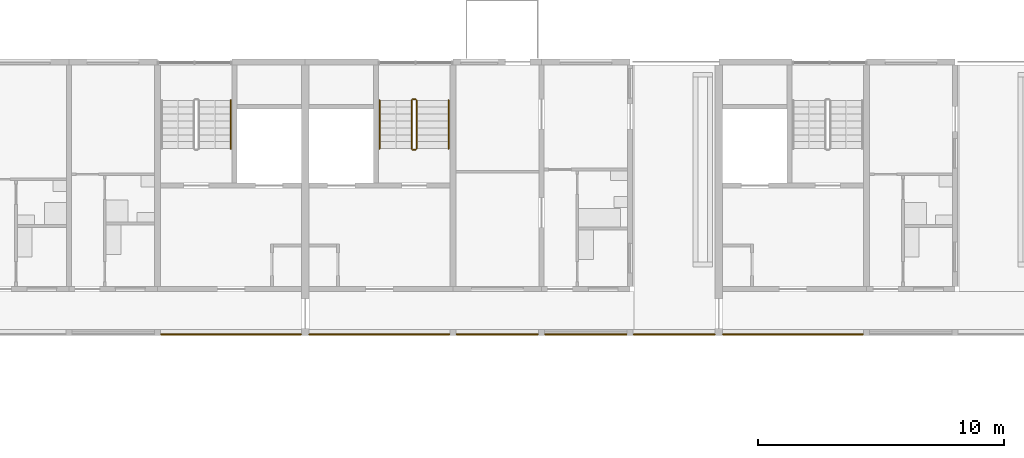
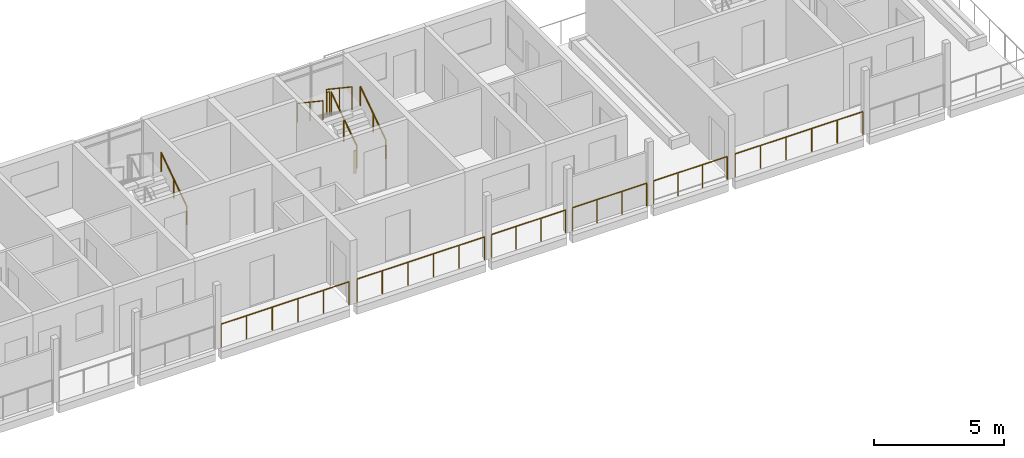
# One storey, part 80 of 94: 13 railings.
"""IFC4 building model written with IfcOpenShell, lengths in metres."""

from ifc_helpers import new_model, si_unit, direction, frame, origin, origin_2d, place, context, subcontext, project, spatial, circle, extrude, material, type_object, element, save


model = new_model("IFC4")

# Units and contexts
model_context = context("Model", 3, precision=1e-05, world=origin(), true_north=direction((0.0, 1.0)))
body_context = subcontext(model_context, "Body", "Model", "MODEL_VIEW")
ifc_project = project(units=[si_unit("LENGTHUNIT", "METRE"), si_unit("AREAUNIT", "SQUARE_METRE"), si_unit("VOLUMEUNIT", "CUBIC_METRE"), si_unit("PLANEANGLEUNIT", "RADIAN"), si_unit("MASSUNIT", "GRAM", prefix="KILO")], contexts=[model_context])

# Site, building, storey
site_placement = place(None, origin())
site = spatial("IfcSite", under=ifc_project, at=site_placement, CompositionType="ELEMENT")
building_placement = place(site_placement, origin())
building = spatial("IfcBuilding", under=site, at=building_placement, Name="Ridgestep Commons", CompositionType="ELEMENT")
storey_placement = place(building_placement, frame((0.0, 0.0, 21.0)))
storey = spatial("IfcBuildingStorey", under=building, at=storey_placement, Name="L07", CompositionType="ELEMENT", Elevation=21.0)

# Railings
ifc_material_1 = material(Name="Structural steel S355JR", Category="steel")
railing_type_1 = type_object("IfcRailingType", Name="Guard 1100", PredefinedType="GUARDRAIL", material=ifc_material_1)
railing_1_placement = place(storey_placement, frame((73.345947265625, 66.050048828125, 0.0)))
element("IfcRailing", 1, at=railing_1_placement, inside=storey, type_object=railing_type_1, Name="Gallery guard B 07.4", PredefinedType="GUARDRAIL", context=body_context, shape_type="SweptSolid", body=[
    extrude(circle(Radius=0.02392578125, at=origin_2d()), frame((0.0, 0.0, 1.076171875), z_axis=(1.0, 0.0, 0.0), x_axis=(0.0, 1.0, 0.0)), (0.0, 0.0, 1.0), 5.68310546875),
    extrude(circle(Radius=0.02099609375, at=origin_2d()), origin(), (0.0, 0.0, 1.0), 1.052001953125),
    extrude(circle(Radius=0.02099609375, at=origin_2d()), frame((1.13671875, 0.0, 0.0)), (0.0, 0.0, 1.0), 1.052001953125),
    extrude(circle(Radius=0.02099609375, at=origin_2d()), frame((2.273193359375, 0.0, 0.0)), (0.0, 0.0, 1.0), 1.052001953125),
    extrude(circle(Radius=0.02099609375, at=origin_2d()), frame((3.409912109375, 0.0, 0.0)), (0.0, 0.0, 1.0), 1.052001953125),
    extrude(circle(Radius=0.02099609375, at=origin_2d()), frame((4.54638671875, 0.0, 0.0)), (0.0, 0.0, 1.0), 1.052001953125),
    extrude(circle(Radius=0.02099609375, at=origin_2d()), frame((5.68310546875, 0.0, 0.0)), (0.0, 0.0, 1.0), 1.052001953125),
])
railing_2_placement = place(storey_placement, frame((79.37109375, 66.050048828125, 0.0)))
element("IfcRailing", 2, at=railing_2_placement, inside=storey, type_object=railing_type_1, Name="Gallery guard B 07.5", PredefinedType="GUARDRAIL", context=body_context, shape_type="SweptSolid", body=[
    extrude(circle(Radius=0.02392578125, at=origin_2d()), frame((0.0, 0.0, 1.076171875), z_axis=(1.0, 0.0, 0.0), x_axis=(0.0, 1.0, 0.0)), (0.0, 0.0, 1.0), 5.682861328125),
    extrude(circle(Radius=0.02099609375, at=origin_2d()), origin(), (0.0, 0.0, 1.0), 1.052001953125),
    extrude(circle(Radius=0.02099609375, at=origin_2d()), frame((1.136474609375, 0.0, 0.0)), (0.0, 0.0, 1.0), 1.052001953125),
    extrude(circle(Radius=0.02099609375, at=origin_2d()), frame((2.273193359375, 0.0, 0.0)), (0.0, 0.0, 1.0), 1.052001953125),
    extrude(circle(Radius=0.02099609375, at=origin_2d()), frame((3.40966796875, 0.0, 0.0)), (0.0, 0.0, 1.0), 1.052001953125),
    extrude(circle(Radius=0.02099609375, at=origin_2d()), frame((4.54638671875, 0.0, 0.0)), (0.0, 0.0, 1.0), 1.052001953125),
    extrude(circle(Radius=0.02099609375, at=origin_2d()), frame((5.682861328125, 0.0, 0.0)), (0.0, 0.0, 1.0), 1.052001953125),
])
railing_3_placement = place(storey_placement, frame((85.345947265625, 66.050048828125, 0.0)))
element("IfcRailing", 3, at=railing_3_placement, inside=storey, type_object=railing_type_1, Name="Gallery guard B 07.6", PredefinedType="GUARDRAIL", context=body_context, shape_type="SweptSolid", body=[
    extrude(circle(Radius=0.02392578125, at=origin_2d()), frame((0.0, 0.0, 1.076171875), z_axis=(1.0, 0.0, 0.0), x_axis=(0.0, 1.0, 0.0)), (0.0, 0.0, 1.0), 3.30810546875),
    extrude(circle(Radius=0.02099609375, at=origin_2d()), origin(), (0.0, 0.0, 1.0), 1.052001953125),
    extrude(circle(Radius=0.02099609375, at=origin_2d()), frame((1.102783203125, 0.0, 0.0)), (0.0, 0.0, 1.0), 1.052001953125),
    extrude(circle(Radius=0.02099609375, at=origin_2d()), frame((2.205322265625, 0.0, 0.0)), (0.0, 0.0, 1.0), 1.052001953125),
    extrude(circle(Radius=0.02099609375, at=origin_2d()), frame((3.30810546875, 0.0, 0.0)), (0.0, 0.0, 1.0), 1.052001953125),
])
railing_4_placement = place(storey_placement, frame((88.946044921875, 66.050048828125, 0.0)))
element("IfcRailing", 4, at=railing_4_placement, inside=storey, type_object=railing_type_1, Name="Gallery guard B 07.7", PredefinedType="GUARDRAIL", context=body_context, shape_type="SweptSolid", body=[
    extrude(circle(Radius=0.02392578125, at=origin_2d()), frame((0.0, 0.0, 1.076171875), z_axis=(1.0, 0.0, 0.0), x_axis=(0.0, 1.0, 0.0)), (0.0, 0.0, 1.0), 3.307861328125),
    extrude(circle(Radius=0.02099609375, at=origin_2d()), origin(), (0.0, 0.0, 1.0), 1.052001953125),
    extrude(circle(Radius=0.02099609375, at=origin_2d()), frame((1.1025390625, 0.0, 0.0)), (0.0, 0.0, 1.0), 1.052001953125),
    extrude(circle(Radius=0.02099609375, at=origin_2d()), frame((2.205322265625, 0.0, 0.0)), (0.0, 0.0, 1.0), 1.052001953125),
    extrude(circle(Radius=0.02099609375, at=origin_2d()), frame((3.307861328125, 0.0, 0.0)), (0.0, 0.0, 1.0), 1.052001953125),
])
railing_5_placement = place(storey_placement, frame((92.5458984375, 66.050048828125, 0.0)))
element("IfcRailing", 5, at=railing_5_placement, inside=storey, type_object=railing_type_1, Name="Gallery guard B 07.8", PredefinedType="GUARDRAIL", context=body_context, shape_type="SweptSolid", body=[
    extrude(circle(Radius=0.02392578125, at=origin_2d()), frame((0.0, 0.0, 1.076171875), z_axis=(1.0, 0.0, 0.0), x_axis=(0.0, 1.0, 0.0)), (0.0, 0.0, 1.0), 3.283203125),
    extrude(circle(Radius=0.02099609375, at=origin_2d()), origin(), (0.0, 0.0, 1.0), 1.052001953125),
    extrude(circle(Radius=0.02099609375, at=origin_2d()), frame((1.094482421875, 0.0, 0.0)), (0.0, 0.0, 1.0), 1.052001953125),
    extrude(circle(Radius=0.02099609375, at=origin_2d()), frame((2.188720703125, 0.0, 0.0)), (0.0, 0.0, 1.0), 1.052001953125),
    extrude(circle(Radius=0.02099609375, at=origin_2d()), frame((3.283203125, 0.0, 0.0)), (0.0, 0.0, 1.0), 1.052001953125),
])
railing_6_placement = place(storey_placement, frame((96.1708984375, 66.050048828125, 0.0)))
element("IfcRailing", 6, at=railing_6_placement, inside=storey, type_object=railing_type_1, Name="Gallery guard B 07.9", PredefinedType="GUARDRAIL", context=body_context, shape_type="SweptSolid", body=[
    extrude(circle(Radius=0.02392578125, at=origin_2d()), frame((0.0, 0.0, 1.076171875), z_axis=(1.0, 0.0, 0.0), x_axis=(0.0, 1.0, 0.0)), (0.0, 0.0, 1.0), 5.68310546875),
    extrude(circle(Radius=0.02099609375, at=origin_2d()), origin(), (0.0, 0.0, 1.0), 1.052001953125),
    extrude(circle(Radius=0.02099609375, at=origin_2d()), frame((1.13671875, 0.0, 0.0)), (0.0, 0.0, 1.0), 1.052001953125),
    extrude(circle(Radius=0.02099609375, at=origin_2d()), frame((2.273193359375, 0.0, 0.0)), (0.0, 0.0, 1.0), 1.052001953125),
    extrude(circle(Radius=0.02099609375, at=origin_2d()), frame((3.409912109375, 0.0, 0.0)), (0.0, 0.0, 1.0), 1.052001953125),
    extrude(circle(Radius=0.02099609375, at=origin_2d()), frame((4.54638671875, 0.0, 0.0)), (0.0, 0.0, 1.0), 1.052001953125),
    extrude(circle(Radius=0.02099609375, at=origin_2d()), frame((5.68310546875, 0.0, 0.0)), (0.0, 0.0, 1.0), 1.052001953125),
])
ifc_material_2 = material(Name="Structural steel S355JR", Category="steel")
railing_type_2 = type_object("IfcRailingType", Name="Stair guard 1100", PredefinedType="GUARDRAIL", material=ifc_material_2)
railing_7_placement = place(storey_placement, frame((83.72509765625, 73.60009765625, 0.1875)))
element("IfcRailing", 7, at=railing_7_placement, inside=storey, type_object=railing_type_2, Name="L07 B5C stair guard 1", PredefinedType="GUARDRAIL", context=body_context, shape_type="SweptSolid", body=[
    extrude(circle(Radius=0.02392578125, at=origin_2d()), frame((0.0, 0.0, 1.076171875), z_axis=(0.0, 0.830902050051, 0.556418712142), x_axis=(-1.0, 0.0, 0.0)), (0.0, 0.0, 1.0), 2.35888671875),
    extrude(circle(Radius=0.02099609375, at=origin_2d()), origin(), (0.0, 0.0, 1.0), 1.052001953125),
    extrude(circle(Radius=0.02099609375, at=origin_2d()), frame((0.0, 0.97998046875, 0.65625)), (0.0, 0.0, 1.0), 1.052001953125),
    extrude(circle(Radius=0.02099609375, at=origin_2d()), frame((0.0, 1.9599609375, 1.3125)), (0.0, 0.0, 1.0), 1.052001953125),
])
railing_8_placement = place(storey_placement, frame((83.675048828125, 75.610107421875, 1.5)))
element("IfcRailing", 8, at=railing_8_placement, inside=storey, type_object=railing_type_2, Name="L07 B5C stair guard 2", PredefinedType="GUARDRAIL", context=body_context, shape_type="SweptSolid", body=[
    extrude(circle(Radius=0.02392578125, at=origin_2d()), frame((0.0, 0.0, 1.076171875), z_axis=(-1.0, 0.0, 0.0), x_axis=(0.0, -1.0, 0.0)), (0.0, 0.0, 1.0), 0.10009765625),
    extrude(circle(Radius=0.02099609375, at=origin_2d()), origin(), (0.0, 0.0, 1.0), 1.052001953125),
    extrude(circle(Radius=0.02099609375, at=origin_2d()), frame((-0.10009765625, 0.0, 0.0)), (0.0, 0.0, 1.0), 1.052001953125),
])
railing_9_placement = place(storey_placement, frame((83.52490234375, 75.56005859375, 1.6875)))
element("IfcRailing", 9, at=railing_9_placement, inside=storey, type_object=railing_type_2, Name="L07 B5C stair guard 3", PredefinedType="GUARDRAIL", context=body_context, shape_type="SweptSolid", body=[
    extrude(circle(Radius=0.02392578125, at=origin_2d()), frame((0.0, 0.0, 1.076171875), z_axis=(0.0, -0.830902050051, 0.556418712142), x_axis=(1.0, 0.0, 0.0)), (0.0, 0.0, 1.0), 2.35888671875),
    extrude(circle(Radius=0.02099609375, at=origin_2d()), origin(), (0.0, 0.0, 1.0), 1.052001953125),
    extrude(circle(Radius=0.02099609375, at=origin_2d()), frame((0.0, -0.97998046875, 0.65625)), (0.0, 0.0, 1.0), 1.052001953125),
    extrude(circle(Radius=0.02099609375, at=origin_2d()), frame((0.0, -1.9599609375, 1.3125)), (0.0, 0.0, 1.0), 1.052001953125),
])
railing_10_placement = place(storey_placement, frame((83.675048828125, 73.550048828125, 0.0)))
element("IfcRailing", 10, at=railing_10_placement, inside=storey, type_object=railing_type_2, Name="L07 B5C stair guard 4", PredefinedType="GUARDRAIL", context=body_context, shape_type="SweptSolid", body=[
    extrude(circle(Radius=0.02392578125, at=origin_2d()), frame((0.0, 0.0, 1.076171875), z_axis=(-1.0, 0.0, 0.0), x_axis=(0.0, -1.0, 0.0)), (0.0, 0.0, 1.0), 0.10009765625),
    extrude(circle(Radius=0.02099609375, at=origin_2d()), origin(), (0.0, 0.0, 1.0), 1.052001953125),
    extrude(circle(Radius=0.02099609375, at=origin_2d()), frame((-0.10009765625, 0.0, 0.0)), (0.0, 0.0, 1.0), 1.052001953125),
])
ifc_material_3 = material(Name="Structural steel S355JR", Category="steel")
railing_type_3 = type_object("IfcRailingType", Name="Stair handrail 900", PredefinedType="HANDRAIL", material=ifc_material_3)
for number, where, name in (
    (11, (76.175048828125, 73.60009765625, 0.1875), "L07 B4C stair handrail 1"),
    (12, (85.02490234375, 73.60009765625, 0.1875), "L07 B5C stair handrail 1"),
):
    element("IfcRailing", number, at=place(storey_placement, frame(where)), inside=storey, type_object=railing_type_3, Name=name, PredefinedType="HANDRAIL", context=body_context, shape_type="SweptSolid", body=[
        extrude(circle(Radius=0.02392578125, at=origin_2d()), frame((0.0, 0.0, 0.8759765625), z_axis=(0.0, 0.830902050051, 0.556418712142), x_axis=(-1.0, 0.0, 0.0)), (0.0, 0.0, 1.0), 2.35888671875),
        extrude(circle(Radius=0.02099609375, at=origin_2d()), origin(), (0.0, 0.0, 1.0), 0.851806640625),
        extrude(circle(Radius=0.02099609375, at=origin_2d()), frame((0.0, 0.97998046875, 0.65625)), (0.0, 0.0, 1.0), 0.851806640625),
        extrude(circle(Radius=0.02099609375, at=origin_2d()), frame((0.0, 1.9599609375, 1.3125)), (0.0, 0.0, 1.0), 0.851806640625),
    ])
railing_11_placement = place(storey_placement, frame((82.22509765625, 75.56005859375, 1.6875)))
element("IfcRailing", 13, at=railing_11_placement, inside=storey, type_object=railing_type_3, Name="L07 B5C stair handrail 2", PredefinedType="HANDRAIL", context=body_context, shape_type="SweptSolid", body=[
    extrude(circle(Radius=0.02392578125, at=origin_2d()), frame((0.0, 0.0, 0.8759765625), z_axis=(0.0, -0.830902050051, 0.556418712142), x_axis=(1.0, 0.0, 0.0)), (0.0, 0.0, 1.0), 2.35888671875),
    extrude(circle(Radius=0.02099609375, at=origin_2d()), origin(), (0.0, 0.0, 1.0), 0.851806640625),
    extrude(circle(Radius=0.02099609375, at=origin_2d()), frame((0.0, -0.97998046875, 0.65625)), (0.0, 0.0, 1.0), 0.851806640625),
    extrude(circle(Radius=0.02099609375, at=origin_2d()), frame((0.0, -1.9599609375, 1.3125)), (0.0, 0.0, 1.0), 0.851806640625),
])

save(model, "model.ifc")
